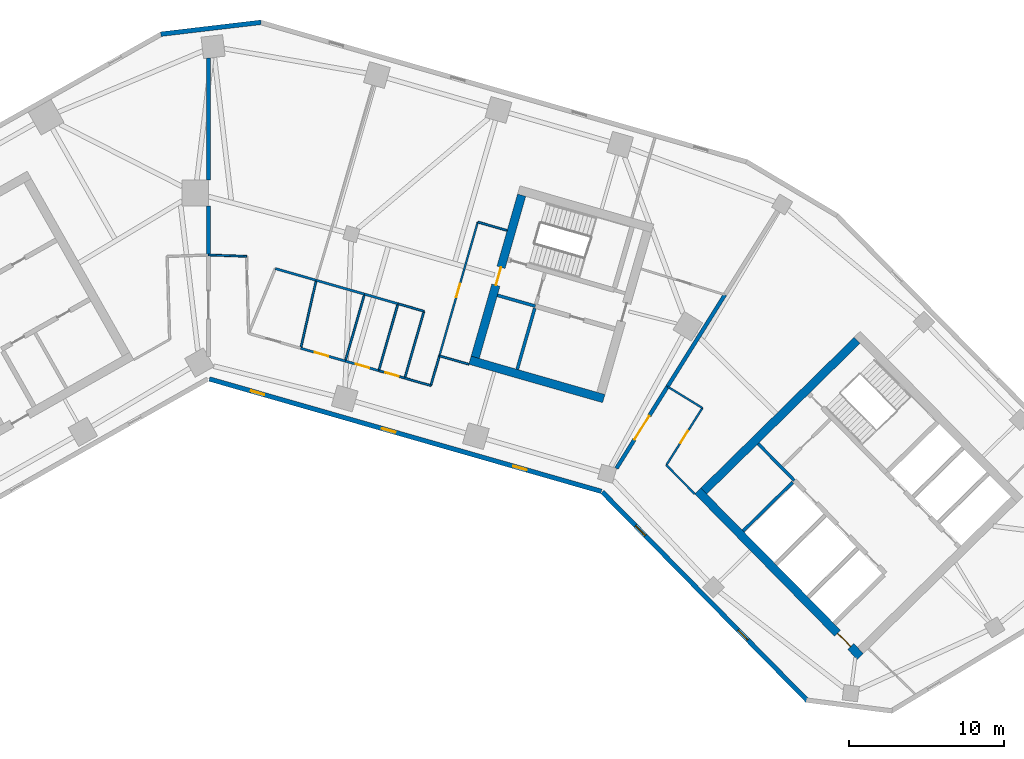
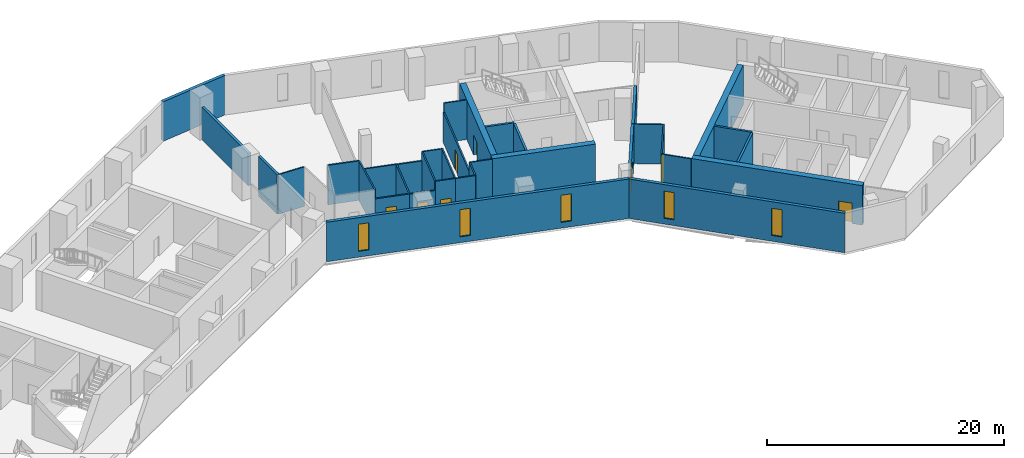
# One storey, part 5 of 10: 35 walls, 8 doors, 5 windows, 13 openings.
"""IFC4 building model written with IfcOpenShell, lengths in metres."""

from ifc_helpers import new_model, si_unit, direction, frame, frame_2d, origin, place, context, subcontext, project, spatial, rectangle, extrude, material, layer, layer_set, type_object, element, fill, save


model = new_model("IFC4")

# Units and contexts
model_context = context("Model", 3, precision=1e-05, world=origin(), true_north=direction((0.0, 1.0)))
body_context = subcontext(model_context, "Body", "Model", "MODEL_VIEW")
ifc_project = project(units=[si_unit("LENGTHUNIT", "METRE"), si_unit("AREAUNIT", "SQUARE_METRE"), si_unit("VOLUMEUNIT", "CUBIC_METRE"), si_unit("PLANEANGLEUNIT", "RADIAN"), si_unit("MASSUNIT", "GRAM", prefix="KILO")], contexts=[model_context])

# Site, building, storey
site_placement = place(None, origin())
site = spatial("IfcSite", under=ifc_project, at=site_placement, CompositionType="ELEMENT")
building_placement = place(site_placement, origin())
building = spatial("IfcBuilding", under=site, at=building_placement, Name="Binnacle Exchange Tower", CompositionType="ELEMENT")
storey_placement = place(building_placement, frame((0.0, 0.0, 110.300048828125)))
storey = spatial("IfcBuildingStorey", under=building, at=storey_placement, Name="L22", CompositionType="ELEMENT", Elevation=110.300048828125)

# Wall, opening, door
ifc_material_1 = material(Name="Concrete C70/85", Category="concrete")
ifc_layer_1 = layer(ifc_material_1, 0.550048828125)
ifc_layer_set_1 = layer_set([ifc_layer_1], Name="Core wall - outer 550")
wall_type_1 = type_object("IfcWallType", Name="Core wall - outer 550", PredefinedType="SOLIDWALL", material=ifc_layer_set_1)
wall_1_placement = place(storey_placement, frame((31.627685546875, 40.7451171875, 0.0), z_axis=(0.0, 0.0, 1.0), x_axis=(0.700911255944, -0.713248491965, 0.0)))
wall_1 = element("IfcWall", 1, at=wall_1_placement, inside=storey, type_object=wall_type_1, Name="Core wall CRWB1", PredefinedType="SOLIDWALL", context=body_context, shape_type="SweptSolid", body=[
    extrude(rectangle(XDim=15.0, YDim=0.550048828125, at=frame_2d((7.5, 0.0))), origin(), (0.0, 0.0, 1.0), 4.079833984375),
])
opening_1_placement = place(wall_1_placement, frame((12.89990234375, 0.0, 0.0)))
opening_1 = element("IfcOpeningElement", 2, at=opening_1_placement, cuts=wall_1, Name="Opening DB7", PredefinedType="OPENING", context=body_context, shape_type="SweptSolid", body=[
    extrude(rectangle(XDim=1.199951171875, YDim=2.10009765625, at=frame_2d((0.60009765625, 1.050048828125))), frame((0.0, 0.284912109375, 0.0), z_axis=(0.0, -1.0, 0.0), x_axis=(1.0, 0.0, 0.0)), (0.0, 0.0, 1.0), 0.570068359375),
])
ifc_material_2 = material(Name="Steel door leaf", Category="steel")
door_type_1 = type_object("IfcDoorType", Name="Fire door 1200", OperationType="NOTDEFINED", PredefinedType="DOOR", material=ifc_material_2)
door_1_placement = place(opening_1_placement, frame((1.199951171875, 0.0, 0.0), z_axis=(0.0, 0.0, 1.0), x_axis=(-1.0, 0.0, 0.0)))
door_1 = element("IfcDoor", 3, at=door_1_placement, inside=storey, type_object=door_type_1, Name="Lift lobby entrance door core B", OperationType="SINGLE_SWING_LEFT", OverallHeight=2.10009765625, OverallWidth=1.199951171875, PredefinedType="DOOR", context=body_context, shape_type="SweptSolid", body=[
    extrude(rectangle(XDim=1.199951171875, YDim=2.10009765625, at=frame_2d((0.60009765625, 1.050048828125))), frame((0.0, 0.02490234375, 0.0), z_axis=(0.0, -1.0, 0.0), x_axis=(1.0, 0.0, 0.0)), (0.0, 0.0, 1.0), 0.050048828125),
])
fill(opening_1, door_1)

# Walls
wall_2_placement = place(storey_placement, frame((32.0166015625, 40.74169921875, 0.0), z_axis=(0.0, 0.0, 1.0), x_axis=(0.713253550094, 0.700906108746, 0.0)))
element("IfcWall", 4, at=wall_2_placement, inside=storey, type_object=wall_type_1, Name="Core wall CRWB7", PredefinedType="SOLIDWALL", context=body_context, shape_type="SweptSolid", body=[
    extrude(rectangle(XDim=13.900146484375, YDim=0.550048828125, at=frame_2d((6.9501953125, 0.0))), origin(), (0.0, 0.0, 1.0), 4.079833984375),
])
wall_3_placement = place(storey_placement, frame((16.90380859375, 49.197265625, 0.0), z_axis=(0.0, 0.0, 1.0), x_axis=(0.96126248289, -0.275634611374, 0.0)))
element("IfcWall", 5, at=wall_3_placement, inside=storey, type_object=wall_type_1, Name="Core wall CRWD1", PredefinedType="SOLIDWALL", context=body_context, shape_type="SweptSolid", body=[
    extrude(rectangle(XDim=9.0, YDim=0.550048828125, at=frame_2d((4.5, 0.0))), origin(), (0.0, 0.0, 1.0), 4.079833984375),
])

# Wall, opening, door
wall_4_placement = place(storey_placement, frame((17.243896484375, 49.3857421875, 0.0), z_axis=(0.0, 0.0, 1.0), x_axis=(0.275632146085, 0.96126318979, 0.0)))
wall_4 = element("IfcWall", 6, at=wall_4_placement, inside=storey, type_object=wall_type_1, Name="Core wall CRWD7", PredefinedType="SOLIDWALL", context=body_context, shape_type="SweptSolid", body=[
    extrude(rectangle(XDim=10.89990234375, YDim=0.550048828125, at=frame_2d((5.449951171875, 0.0))), origin(), (0.0, 0.0, 1.0), 4.079833984375),
])
opening_2_placement = place(wall_4_placement, frame((4.85009765625, 0.0, 0.0)))
opening_2 = element("IfcOpeningElement", 7, at=opening_2_placement, cuts=wall_4, Name="Opening DD5", PredefinedType="OPENING", context=body_context, shape_type="SweptSolid", body=[
    extrude(rectangle(XDim=1.199951171875, YDim=2.10009765625, at=frame_2d((0.60009765625, 1.050048828125))), frame((0.0, 0.284912109375, 0.0), z_axis=(0.0, -1.0, 0.0), x_axis=(1.0, 0.0, 0.0)), (0.0, 0.0, 1.0), 0.570068359375),
])
door_2_placement = place(opening_2_placement, origin())
door_2 = element("IfcDoor", 8, at=door_2_placement, inside=storey, type_object=door_type_1, Name="Vestibule exit door VEST-W", OperationType="SINGLE_SWING_RIGHT", OverallHeight=2.10009765625, OverallWidth=1.199951171875, PredefinedType="DOOR", context=body_context, shape_type="SweptSolid", body=[
    extrude(rectangle(XDim=1.199951171875, YDim=2.10009765625, at=frame_2d((0.60009765625, 1.050048828125))), frame((0.0, 0.02490234375, 0.0), z_axis=(0.0, -1.0, 0.0), x_axis=(1.0, 0.0, 0.0)), (0.0, 0.0, 1.0), 0.050048828125),
])
fill(opening_2, door_2)

# Wall
ifc_material_3 = material(Name="Bronze aluminium cladding", Category="aluminium")
ifc_layer_2 = layer(ifc_material_3, 0.300048828125)
ifc_layer_set_2 = layer_set([ifc_layer_2], Name="External wall - spandrel 300")
wall_type_2 = type_object("IfcWallType", Name="External wall - spandrel 300", PredefinedType="STANDARD", material=ifc_layer_set_2)
wall_5_placement = place(storey_placement, frame((-3.076171875, 70.27294921875, 0.0), z_axis=(0.0, 0.0, 1.0), x_axis=(0.993067743007, 0.117543429416, 0.0)))
element("IfcWall", 9, at=wall_5_placement, inside=storey, type_object=wall_type_2, Name="External wall EW-F02 L22", PredefinedType="STANDARD", context=body_context, shape_type="SweptSolid", body=[
    extrude(rectangle(XDim=6.515625, YDim=0.300048828125, at=frame_2d((3.2578125, 0.0))), origin(), (0.0, 0.0, 1.0), 4.079833984375),
])

# Wall, openings, windows
wall_6_placement = place(storey_placement, frame((25.398193359375, 40.71728515625, 0.0), z_axis=(0.0, 0.0, 1.0), x_axis=(-0.961262423262, 0.275634819324, 0.0)))
wall_6 = element("IfcWall", 10, at=wall_6_placement, inside=storey, type_object=wall_type_2, Name="External wall EW-F08 L22", PredefinedType="STANDARD", context=body_context, shape_type="SweptSolid", body=[
    extrude(rectangle(XDim=26.358642578125, YDim=0.300048828125, at=frame_2d((13.17919921875, 0.0))), origin(), (0.0, 0.0, 1.0), 4.079833984375),
])
opening_3_placement = place(wall_6_placement, frame((22.6640625, 0.0, 0.60009765625)))
opening_3 = element("IfcOpeningElement", 11, at=opening_3_placement, cuts=wall_6, Name="Opening WS2", PredefinedType="OPENING", context=body_context, shape_type="SweptSolid", body=[
    extrude(rectangle(XDim=0.89990234375, YDim=2.800048828125, at=frame_2d((0.449951171875, 1.39990234375))), frame((0.0, 0.159912109375, 0.0), z_axis=(0.0, -1.0, 0.0), x_axis=(1.0, 0.0, 0.0)), (0.0, 0.0, 1.0), 0.320068359375),
])
opening_4_placement = place(wall_6_placement, frame((13.843505859375, 0.0, 0.60009765625)))
opening_4 = element("IfcOpeningElement", 12, at=opening_4_placement, cuts=wall_6, Name="Opening WS2", PredefinedType="OPENING", context=body_context, shape_type="SweptSolid", body=[
    extrude(rectangle(XDim=0.89990234375, YDim=2.800048828125, at=frame_2d((0.449951171875, 1.39990234375))), frame((0.0, 0.159912109375, 0.0), z_axis=(0.0, -1.0, 0.0), x_axis=(1.0, 0.0, 0.0)), (0.0, 0.0, 1.0), 0.320068359375),
])
opening_5_placement = place(wall_6_placement, frame((5.023193359375, 0.0, 0.60009765625)))
opening_5 = element("IfcOpeningElement", 13, at=opening_5_placement, cuts=wall_6, Name="Opening WS2", PredefinedType="OPENING", context=body_context, shape_type="SweptSolid", body=[
    extrude(rectangle(XDim=0.89990234375, YDim=2.800048828125, at=frame_2d((0.449951171875, 1.39990234375))), frame((0.0, 0.159912109375, 0.0), z_axis=(0.0, -1.0, 0.0), x_axis=(1.0, 0.0, 0.0)), (0.0, 0.0, 1.0), 0.320068359375),
])
ifc_material_4 = material(Name="Bronze anodised aluminium frame", Category="aluminium")
window_type = type_object("IfcWindowType", Name="WS2 WINDOW 900x2800", PartitioningType="SINGLE_PANEL", PredefinedType="WINDOW", material=ifc_material_4)
window_1_placement = place(opening_3_placement, origin())
window_1 = element("IfcWindow", 14, at=window_1_placement, inside=storey, type_object=window_type, Name="Window WS2 L22", OverallHeight=2.800048828125, OverallWidth=0.89990234375, PartitioningType="SINGLE_PANEL", PredefinedType="WINDOW", context=body_context, shape_type="SweptSolid", body=[
    extrude(rectangle(XDim=0.89990234375, YDim=2.800048828125, at=frame_2d((0.449951171875, 1.39990234375))), frame((0.0, 0.030029296875, 0.0), z_axis=(0.0, -1.0, 0.0), x_axis=(1.0, 0.0, 0.0)), (0.0, 0.0, 1.0), 0.06005859375),
])
fill(opening_3, window_1)
window_2_placement = place(opening_4_placement, origin())
window_2 = element("IfcWindow", 15, at=window_2_placement, inside=storey, type_object=window_type, Name="Window WS2 L22", OverallHeight=2.800048828125, OverallWidth=0.89990234375, PartitioningType="SINGLE_PANEL", PredefinedType="WINDOW", context=body_context, shape_type="SweptSolid", body=[
    extrude(rectangle(XDim=0.89990234375, YDim=2.800048828125, at=frame_2d((0.449951171875, 1.39990234375))), frame((0.0, 0.030029296875, 0.0), z_axis=(0.0, -1.0, 0.0), x_axis=(1.0, 0.0, 0.0)), (0.0, 0.0, 1.0), 0.06005859375),
])
fill(opening_4, window_2)
window_3_placement = place(opening_5_placement, origin())
window_3 = element("IfcWindow", 16, at=window_3_placement, inside=storey, type_object=window_type, Name="Window WS2 L22", OverallHeight=2.800048828125, OverallWidth=0.89990234375, PartitioningType="SINGLE_PANEL", PredefinedType="WINDOW", context=body_context, shape_type="SweptSolid", body=[
    extrude(rectangle(XDim=0.89990234375, YDim=2.800048828125, at=frame_2d((0.449951171875, 1.39990234375))), frame((0.0, 0.030029296875, 0.0), z_axis=(0.0, -1.0, 0.0), x_axis=(1.0, 0.0, 0.0)), (0.0, 0.0, 1.0), 0.06005859375),
])
fill(opening_5, window_3)

wall_7_placement = place(storey_placement, frame((38.727294921875, 27.18115234375, 0.0), z_axis=(0.0, 0.0, 1.0), x_axis=(-0.700906405975, 0.713253258011, 0.0)))
wall_7 = element("IfcWall", 17, at=wall_7_placement, inside=storey, type_object=wall_type_2, Name="External wall EW-F09 L22", PredefinedType="STANDARD", context=body_context, shape_type="SweptSolid", body=[
    extrude(rectangle(XDim=18.92333984375, YDim=0.300048828125, at=frame_2d((9.461669921875, 0.0))), origin(), (0.0, 0.0, 1.0), 4.079833984375),
])
opening_6_placement = place(wall_7_placement, frame((14.967041015625, 0.0, 0.60009765625)))
opening_6 = element("IfcOpeningElement", 18, at=opening_6_placement, cuts=wall_7, Name="Opening WS2", PredefinedType="OPENING", context=body_context, shape_type="SweptSolid", body=[
    extrude(rectangle(XDim=0.89990234375, YDim=2.800048828125, at=frame_2d((0.449951171875, 1.39990234375))), frame((0.0, 0.159912109375, 0.0), z_axis=(0.0, -1.0, 0.0), x_axis=(1.0, 0.0, 0.0)), (0.0, 0.0, 1.0), 0.320068359375),
])
opening_7_placement = place(wall_7_placement, frame((5.51171875, 0.0, 0.60009765625)))
opening_7 = element("IfcOpeningElement", 19, at=opening_7_placement, cuts=wall_7, Name="Opening WS2", PredefinedType="OPENING", context=body_context, shape_type="SweptSolid", body=[
    extrude(rectangle(XDim=0.89990234375, YDim=2.800048828125, at=frame_2d((0.449951171875, 1.39990234375))), frame((0.0, 0.159912109375, 0.0), z_axis=(0.0, -1.0, 0.0), x_axis=(1.0, 0.0, 0.0)), (0.0, 0.0, 1.0), 0.320068359375),
])
window_4_placement = place(opening_6_placement, origin())
window_4 = element("IfcWindow", 20, at=window_4_placement, inside=storey, type_object=window_type, Name="Window WS2 L22", OverallHeight=2.800048828125, OverallWidth=0.89990234375, PartitioningType="SINGLE_PANEL", PredefinedType="WINDOW", context=body_context, shape_type="SweptSolid", body=[
    extrude(rectangle(XDim=0.89990234375, YDim=2.800048828125, at=frame_2d((0.449951171875, 1.39990234375))), frame((0.0, 0.030029296875, 0.0), z_axis=(0.0, -1.0, 0.0), x_axis=(1.0, 0.0, 0.0)), (0.0, 0.0, 1.0), 0.06005859375),
])
fill(opening_6, window_4)
window_5_placement = place(opening_7_placement, origin())
window_5 = element("IfcWindow", 21, at=window_5_placement, inside=storey, type_object=window_type, Name="Window WS2 L22", OverallHeight=2.800048828125, OverallWidth=0.89990234375, PartitioningType="SINGLE_PANEL", PredefinedType="WINDOW", context=body_context, shape_type="SweptSolid", body=[
    extrude(rectangle(XDim=0.89990234375, YDim=2.800048828125, at=frame_2d((0.449951171875, 1.39990234375))), frame((0.0, 0.030029296875, 0.0), z_axis=(0.0, -1.0, 0.0), x_axis=(1.0, 0.0, 0.0)), (0.0, 0.0, 1.0), 0.06005859375),
])
fill(opening_7, window_5)

# Walls
ifc_material_5 = material(Name="Concrete fire wall C30/37", Category="concrete")
ifc_layer_3 = layer(ifc_material_5, 0.25)
ifc_layer_set_3 = layer_set([ifc_layer_3], Name="Fire wall - compartment 250")
wall_type_3 = type_object("IfcWallType", Name="Fire wall - compartment 250", PredefinedType="PARTITIONING", material=ifc_layer_set_3)
wall_8_placement = place(storey_placement, frame((0.0, 56.0, 0.0), z_axis=(0.0, 0.0, 1.0), x_axis=(0.0, 1.0, 0.0)))
element("IfcWall", 22, at=wall_8_placement, inside=storey, type_object=wall_type_3, Name="Fire Wall W09", PredefinedType="PARTITIONING", context=body_context, shape_type="SweptSolid", body=[
    extrude(rectangle(XDim=3.14990234375, YDim=0.25, at=frame_2d((1.574951171875, 0.0))), origin(), (0.0, 0.0, 1.0), 4.079833984375),
])
wall_9_placement = place(storey_placement, frame((0.0, 60.85009765625, 0.0), z_axis=(0.0, 0.0, 1.0), x_axis=(0.0, 1.0, 0.0)))
element("IfcWall", 23, at=wall_9_placement, inside=storey, type_object=wall_type_3, Name="Fire Wall W11", PredefinedType="PARTITIONING", context=body_context, shape_type="SweptSolid", body=[
    extrude(rectangle(XDim=7.8740234375, YDim=0.25, at=frame_2d((3.93701171875, 0.0))), origin(), (0.0, 0.0, 1.0), 3.35205078125),
])

# Wall, opening, door
wall_10_placement = place(storey_placement, frame((26.373046875, 42.2060546875, 0.0), z_axis=(0.0, 0.0, 1.0), x_axis=(0.52987567935, 0.848075329457, 0.0)))
wall_10 = element("IfcWall", 24, at=wall_10_placement, inside=storey, type_object=wall_type_3, Name="Fire Wall W32", PredefinedType="PARTITIONING", context=body_context, shape_type="SweptSolid", body=[
    extrude(rectangle(XDim=6.231689453125, YDim=0.25, at=frame_2d((3.11572265625, 0.0))), origin(), (0.0, 0.0, 1.0), 4.079833984375),
])
opening_8_placement = place(wall_10_placement, frame((2.199951171875, 0.0, 0.0)))
opening_8 = element("IfcOpeningElement", 25, at=opening_8_placement, cuts=wall_10, Name="Opening DL22-13", PredefinedType="OPENING", context=body_context, shape_type="SweptSolid", body=[
    extrude(rectangle(XDim=1.800048828125, YDim=2.10009765625, at=frame_2d((0.89990234375, 1.050048828125))), frame((0.0, 0.135009765625, 0.0), z_axis=(0.0, -1.0, 0.0), x_axis=(1.0, 0.0, 0.0)), (0.0, 0.0, 1.0), 0.27001953125),
])
door_type_2 = type_object("IfcDoorType", Name="Fire door 1800", OperationType="NOTDEFINED", PredefinedType="DOOR", material=ifc_material_2)
door_3_placement = place(opening_8_placement, origin())
door_3 = element("IfcDoor", 26, at=door_3_placement, inside=storey, type_object=door_type_2, Name="Door DL22-13", OperationType="DOUBLE_DOOR_SINGLE_SWING", OverallHeight=2.10009765625, OverallWidth=1.800048828125, PredefinedType="DOOR", context=body_context, shape_type="SweptSolid", body=[
    extrude(rectangle(XDim=1.800048828125, YDim=2.10009765625, at=frame_2d((0.89990234375, 1.050048828125))), frame((0.0, 0.02490234375, 0.0), z_axis=(0.0, -1.0, 0.0), x_axis=(1.0, 0.0, 0.0)), (0.0, 0.0, 1.0), 0.050048828125),
])
fill(opening_8, door_3)

# Walls
wall_11_placement = place(storey_placement, frame((29.675048828125, 47.490966796875, 0.0), z_axis=(0.0, 0.0, 1.0), x_axis=(0.529992669945, 0.848002222759, 0.0)))
element("IfcWall", 27, at=wall_11_placement, inside=storey, type_object=wall_type_3, Name="Fire Wall W38", PredefinedType="PARTITIONING", context=body_context, shape_type="SweptSolid", body=[
    extrude(rectangle(XDim=7.0, YDim=0.25, at=frame_2d((3.5, 0.0))), origin(), (0.0, 0.0, 1.0), 3.141845703125),
])
ifc_material_6 = material(Name="Gypsum partition fire rated")
ifc_layer_4 = layer(ifc_material_6, 0.14990234375)
ifc_layer_set_4 = layer_set([ifc_layer_4], Name="Fire-rated partition 150")
wall_type_4 = type_object("IfcWallType", Name="Fire-rated partition 150", PredefinedType="PARTITIONING", material=ifc_layer_set_4)
wall_12_placement = place(storey_placement, frame((4.322021484375, 55.1201171875, 0.0), z_axis=(0.0, 0.0, 1.0), x_axis=(0.961272337704, -0.275600240865, 0.0)))
element("IfcWall", 28, at=wall_12_placement, inside=storey, type_object=wall_type_4, Name="Partition W15", PredefinedType="PARTITIONING", context=body_context, shape_type="SweptSolid", body=[
    extrude(rectangle(XDim=2.75048828125, YDim=0.14990234375, at=frame_2d((1.375244140625, 0.0))), origin(), (0.0, 0.0, 1.0), 4.079833984375),
])

# Wall, opening, door
wall_13_placement = place(storey_placement, frame((5.966064453125, 49.967041015625, 0.0), z_axis=(0.0, 0.0, 1.0), x_axis=(0.961222353496, -0.275774522283, 0.0)))
wall_13 = element("IfcWall", 29, at=wall_13_placement, inside=storey, type_object=wall_type_4, Name="Partition W17", PredefinedType="PARTITIONING", context=body_context, shape_type="SweptSolid", body=[
    extrude(rectangle(XDim=2.999267578125, YDim=0.14990234375, at=frame_2d((1.49951171875, 0.0))), origin(), (0.0, 0.0, 1.0), 3.159912109375),
])
opening_9_placement = place(wall_13_placement, frame((0.949951171875, 0.0, 0.0)))
opening_9 = element("IfcOpeningElement", 30, at=opening_9_placement, cuts=wall_13, Name="Opening DL22-04", PredefinedType="OPENING", context=body_context, shape_type="SweptSolid", body=[
    extrude(rectangle(XDim=0.89990234375, YDim=2.10009765625, at=frame_2d((0.449951171875, 1.050048828125))), frame((0.0, 0.0849609375, 0.0), z_axis=(0.0, -1.0, 0.0), x_axis=(1.0, 0.0, 0.0)), (0.0, 0.0, 1.0), 0.169921875),
])
door_type_3 = type_object("IfcDoorType", Name="Fire door 900", OperationType="NOTDEFINED", PredefinedType="DOOR", material=ifc_material_2)
door_4_placement = place(opening_9_placement, origin())
door_4 = element("IfcDoor", 31, at=door_4_placement, inside=storey, type_object=door_type_3, Name="Door DL22-04", OperationType="SINGLE_SWING_LEFT", OverallHeight=2.10009765625, OverallWidth=0.89990234375, PredefinedType="DOOR", context=body_context, shape_type="SweptSolid", body=[
    extrude(rectangle(XDim=0.89990234375, YDim=2.10009765625, at=frame_2d((0.449951171875, 1.050048828125))), frame((0.0, 0.02490234375, 0.0), z_axis=(0.0, -1.0, 0.0), x_axis=(1.0, 0.0, 0.0)), (0.0, 0.0, 1.0), 0.050048828125),
])
fill(opening_9, door_4)

# Wall
wall_14_placement = place(storey_placement, frame((6.966064453125, 54.362060546875, 0.0), z_axis=(0.0, 0.0, 1.0), x_axis=(0.961245650832, -0.275693305607, 0.0)))
element("IfcWall", 32, at=wall_14_placement, inside=storey, type_object=wall_type_4, Name="Partition W18", PredefinedType="PARTITIONING", context=body_context, shape_type="SweptSolid", body=[
    extrude(rectangle(XDim=3.25, YDim=0.14990234375, at=frame_2d((1.625, 0.0))), origin(), (0.0, 0.0, 1.0), 3.159912109375),
])

# Wall, opening, door
wall_15_placement = place(storey_placement, frame((8.84912109375, 49.139892578125, 0.0), z_axis=(0.0, 0.0, 1.0), x_axis=(0.961298413165, -0.275509275429, 0.0)))
wall_15 = element("IfcWall", 33, at=wall_15_placement, inside=storey, type_object=wall_type_4, Name="Partition W21", PredefinedType="PARTITIONING", context=body_context, shape_type="SweptSolid", body=[
    extrude(rectangle(XDim=2.25, YDim=0.14990234375, at=frame_2d((1.125, 0.0))), origin(), (0.0, 0.0, 1.0), 3.141845703125),
])
opening_10_placement = place(wall_15_placement, frame((0.699951171875, 0.0, 0.0)))
opening_10 = element("IfcOpeningElement", 34, at=opening_10_placement, cuts=wall_15, Name="Opening DL22-05", PredefinedType="OPENING", context=body_context, shape_type="SweptSolid", body=[
    extrude(rectangle(XDim=0.89990234375, YDim=2.10009765625, at=frame_2d((0.449951171875, 1.050048828125))), frame((0.0, 0.0849609375, 0.0), z_axis=(0.0, -1.0, 0.0), x_axis=(1.0, 0.0, 0.0)), (0.0, 0.0, 1.0), 0.169921875),
])
door_5_placement = place(opening_10_placement, origin())
door_5 = element("IfcDoor", 35, at=door_5_placement, inside=storey, type_object=door_type_3, Name="Door DL22-05", OperationType="SINGLE_SWING_RIGHT", OverallHeight=2.10009765625, OverallWidth=0.89990234375, PredefinedType="DOOR", context=body_context, shape_type="SweptSolid", body=[
    extrude(rectangle(XDim=0.89990234375, YDim=2.10009765625, at=frame_2d((0.449951171875, 1.050048828125))), frame((0.0, 0.02490234375, 0.0), z_axis=(0.0, -1.0, 0.0), x_axis=(1.0, 0.0, 0.0)), (0.0, 0.0, 1.0), 0.050048828125),
])
fill(opening_10, door_5)

# Walls
wall_16_placement = place(storey_placement, frame((10.090087890625, 53.466064453125, 0.0), z_axis=(0.0, 0.0, 1.0), x_axis=(0.961269670038, -0.275609545309, 0.0)))
element("IfcWall", 36, at=wall_16_placement, inside=storey, type_object=wall_type_4, Name="Partition W22", PredefinedType="PARTITIONING", context=body_context, shape_type="SweptSolid", body=[
    extrude(rectangle(XDim=2.25, YDim=0.14990234375, at=frame_2d((1.125, 0.0))), origin(), (0.0, 0.0, 1.0), 3.141845703125),
])
ifc_material_7 = material(Name="Gypsum partition")
ifc_layer_5 = layer(ifc_material_7, 0.125)
ifc_layer_set_5 = layer_set([ifc_layer_5], Name="Partition 125")
wall_type_5 = type_object("IfcWallType", Name="Partition 125", PredefinedType="PARTITIONING", material=ifc_layer_set_5)
wall_17_placement = place(storey_placement, frame((0.0, 56.0, 0.0), z_axis=(0.0, 0.0, 1.0), x_axis=(0.999349313684, -0.036068673934, 0.0)))
element("IfcWall", 37, at=wall_17_placement, inside=storey, type_object=wall_type_5, Name="Partition W10", PredefinedType="PARTITIONING", context=body_context, shape_type="SweptSolid", body=[
    extrude(rectangle(XDim=2.470703125, YDim=0.125, at=frame_2d((1.2353515625, 0.0))), origin(), (0.0, 0.0, 1.0), 4.079833984375),
])
wall_18_placement = place(storey_placement, frame((5.966064453125, 49.967041015625, 0.0), z_axis=(0.0, 0.0, 1.0), x_axis=(0.221859891223, 0.975078555126, 0.0)))
element("IfcWall", 38, at=wall_18_placement, inside=storey, type_object=wall_type_5, Name="Partition W16", PredefinedType="PARTITIONING", context=body_context, shape_type="SweptSolid", body=[
    extrude(rectangle(XDim=4.50732421875, YDim=0.125, at=frame_2d((2.253662109375, 0.0))), origin(), (0.0, 0.0, 1.0), 4.079833984375),
])
wall_19_placement = place(storey_placement, frame((8.84912109375, 49.139892578125, 0.0), z_axis=(0.0, 0.0, 1.0), x_axis=(0.275731175537, 0.961234788612, 0.0)))
element("IfcWall", 39, at=wall_19_placement, inside=storey, type_object=wall_type_5, Name="Partition W20", PredefinedType="PARTITIONING", context=body_context, shape_type="SweptSolid", body=[
    extrude(rectangle(XDim=4.500732421875, YDim=0.125, at=frame_2d((2.25048828125, 0.0))), origin(), (0.0, 0.0, 1.0), 3.159912109375),
])
wall_20_placement = place(storey_placement, frame((11.011962890625, 48.52001953125, 0.0), z_axis=(0.0, 0.0, 1.0), x_axis=(0.275745553681, 0.96123066411, 0.0)))
element("IfcWall", 40, at=wall_20_placement, inside=storey, type_object=wall_type_5, Name="Partition W23", PredefinedType="PARTITIONING", context=body_context, shape_type="SweptSolid", body=[
    extrude(rectangle(XDim=4.50048828125, YDim=0.125, at=frame_2d((2.250244140625, 0.0))), origin(), (0.0, 0.0, 1.0), 4.079833984375),
])

# Wall, opening, door
wall_21_placement = place(storey_placement, frame((11.011962890625, 48.52001953125, 0.0), z_axis=(0.0, 0.0, 1.0), x_axis=(0.961323619822, -0.275421309946, 0.0)))
wall_21 = element("IfcWall", 41, at=wall_21_placement, inside=storey, type_object=wall_type_5, Name="Partition W24", PredefinedType="PARTITIONING", context=body_context, shape_type="SweptSolid", body=[
    extrude(rectangle(XDim=1.749755859375, YDim=0.125, at=frame_2d((0.875, 0.0))), origin(), (0.0, 0.0, 1.0), 4.079833984375),
])
opening_11_placement = place(wall_21_placement, frame((0.449951171875, 0.0, 0.0)))
opening_11 = element("IfcOpeningElement", 42, at=opening_11_placement, cuts=wall_21, Name="Opening DL22-06", PredefinedType="OPENING", context=body_context, shape_type="SweptSolid", body=[
    extrude(rectangle(XDim=0.89990234375, YDim=2.10009765625, at=frame_2d((0.449951171875, 1.050048828125))), frame((0.0, 0.072509765625, 0.0), z_axis=(0.0, -1.0, 0.0), x_axis=(1.0, 0.0, 0.0)), (0.0, 0.0, 1.0), 0.14501953125),
])
ifc_material_8 = material(Name="Timber door leaf", Category="wood")
door_type_4 = type_object("IfcDoorType", Name="Door 900", OperationType="NOTDEFINED", PredefinedType="DOOR", material=ifc_material_8)
door_6_placement = place(opening_11_placement, origin())
door_6 = element("IfcDoor", 43, at=door_6_placement, inside=storey, type_object=door_type_4, Name="Door DL22-06", OperationType="SINGLE_SWING_RIGHT", OverallHeight=2.10009765625, OverallWidth=0.89990234375, PredefinedType="DOOR", context=body_context, shape_type="SweptSolid", body=[
    extrude(rectangle(XDim=0.89990234375, YDim=2.10009765625, at=frame_2d((0.449951171875, 1.050048828125))), frame((0.0, 0.02490234375, 0.0), z_axis=(0.0, -1.0, 0.0), x_axis=(1.0, 0.0, 0.0)), (0.0, 0.0, 1.0), 0.050048828125),
])
fill(opening_11, door_6)

# Walls
wall_22_placement = place(storey_placement, frame((12.2529296875, 52.845947265625, 0.0), z_axis=(0.0, 0.0, 1.0), x_axis=(0.961175737212, -0.275936953296, 0.0)))
element("IfcWall", 44, at=wall_22_placement, inside=storey, type_object=wall_type_5, Name="Partition W25", PredefinedType="PARTITIONING", context=body_context, shape_type="SweptSolid", body=[
    extrude(rectangle(XDim=1.75, YDim=0.125, at=frame_2d((0.875, 0.0))), origin(), (0.0, 0.0, 1.0), 4.079833984375),
])
wall_23_placement = place(storey_placement, frame((12.694091796875, 48.0380859375, 0.0), z_axis=(0.0, 0.0, 1.0), x_axis=(0.275803080638, 0.96121415965, 0.0)))
element("IfcWall", 45, at=wall_23_placement, inside=storey, type_object=wall_type_5, Name="Partition W26", PredefinedType="PARTITIONING", context=body_context, shape_type="SweptSolid", body=[
    extrude(rectangle(XDim=4.49951171875, YDim=0.125, at=frame_2d((2.249755859375, 0.0))), origin(), (0.0, 0.0, 1.0), 4.079833984375),
])
wall_24_placement = place(storey_placement, frame((12.694091796875, 48.0380859375, 0.0), z_axis=(0.0, 0.0, 1.0), x_axis=(0.961170605556, -0.275954827854, 0.0)))
element("IfcWall", 46, at=wall_24_placement, inside=storey, type_object=wall_type_5, Name="Partition W27", PredefinedType="PARTITIONING", context=body_context, shape_type="SweptSolid", body=[
    extrude(rectangle(XDim=1.750732421875, YDim=0.125, at=frame_2d((0.87548828125, 0.0))), origin(), (0.0, 0.0, 1.0), 4.079833984375),
])
wall_25_placement = place(storey_placement, frame((14.376953125, 47.554931640625, 0.0), z_axis=(0.0, 0.0, 1.0), x_axis=(0.275446387355, 0.961316434736, 0.0)))
element("IfcWall", 47, at=wall_25_placement, inside=storey, type_object=wall_type_5, Name="Partition W28", PredefinedType="PARTITIONING", context=body_context, shape_type="SweptSolid", body=[
    extrude(rectangle(XDim=2.00048828125, YDim=0.125, at=frame_2d((1.000244140625, 0.0))), origin(), (0.0, 0.0, 1.0), 4.079833984375),
])
wall_26_placement = place(storey_placement, frame((14.927978515625, 49.47802734375, 0.0), z_axis=(0.0, 0.0, 1.0), x_axis=(0.961243778232, -0.27569983462, 0.0)))
element("IfcWall", 48, at=wall_26_placement, inside=storey, type_object=wall_type_5, Name="Partition W29", PredefinedType="PARTITIONING", context=body_context, shape_type="SweptSolid", body=[
    extrude(rectangle(XDim=1.9765625, YDim=0.125, at=frame_2d((0.98828125, 0.0))), origin(), (0.0, 0.0, 1.0), 4.079833984375),
])

# Wall, opening, door
wall_27_placement = place(storey_placement, frame((14.927978515625, 49.47802734375, 0.0), z_axis=(0.0, 0.0, 1.0), x_axis=(0.275674053528, 0.961251172281, 0.0)))
wall_27 = element("IfcWall", 49, at=wall_27_placement, inside=storey, type_object=wall_type_5, Name="Partition W30", PredefinedType="PARTITIONING", context=body_context, shape_type="SweptSolid", body=[
    extrude(rectangle(XDim=8.99951171875, YDim=0.125, at=frame_2d((4.499755859375, 0.0))), origin(), (0.0, 0.0, 1.0), 3.141845703125),
])
opening_12_placement = place(wall_27_placement, frame((3.949951171875, 0.0, 0.0)))
opening_12 = element("IfcOpeningElement", 50, at=opening_12_placement, cuts=wall_27, Name="Opening DL22-08", PredefinedType="OPENING", context=body_context, shape_type="SweptSolid", body=[
    extrude(rectangle(XDim=0.89990234375, YDim=2.10009765625, at=frame_2d((0.449951171875, 1.050048828125))), frame((0.0, 0.072509765625, 0.0), z_axis=(0.0, -1.0, 0.0), x_axis=(1.0, 0.0, 0.0)), (0.0, 0.0, 1.0), 0.14501953125),
])
door_7_placement = place(opening_12_placement, origin())
door_7 = element("IfcDoor", 51, at=door_7_placement, inside=storey, type_object=door_type_4, Name="Door DL22-08", OperationType="SINGLE_SWING_LEFT", OverallHeight=2.10009765625, OverallWidth=0.89990234375, PredefinedType="DOOR", context=body_context, shape_type="SweptSolid", body=[
    extrude(rectangle(XDim=0.89990234375, YDim=2.10009765625, at=frame_2d((0.449951171875, 1.050048828125))), frame((0.0, 0.02490234375, 0.0), z_axis=(0.0, -1.0, 0.0), x_axis=(1.0, 0.0, 0.0)), (0.0, 0.0, 1.0), 0.050048828125),
])
fill(opening_12, door_7)

# Walls
wall_28_placement = place(storey_placement, frame((17.408935546875, 58.12890625, 0.0), z_axis=(0.0, 0.0, 1.0), x_axis=(0.961253165474, -0.275667103345, 0.0)))
element("IfcWall", 52, at=wall_28_placement, inside=storey, type_object=wall_type_5, Name="Partition W31", PredefinedType="PARTITIONING", context=body_context, shape_type="SweptSolid", body=[
    extrude(rectangle(XDim=1.976806640625, YDim=0.125, at=frame_2d((0.98828125, 0.0))), origin(), (0.0, 0.0, 1.0), 4.079833984375),
])
wall_29_placement = place(storey_placement, frame((29.60009765625, 42.416015625, 0.0), z_axis=(0.0, 0.0, 1.0), x_axis=(0.700914320664, -0.713245480244, 0.0)))
element("IfcWall", 53, at=wall_29_placement, inside=storey, type_object=wall_type_5, Name="Partition W35", PredefinedType="PARTITIONING", context=body_context, shape_type="SweptSolid", body=[
    extrude(rectangle(XDim=2.613525390625, YDim=0.125, at=frame_2d((1.306640625, 0.0))), origin(), (0.0, 0.0, 1.0), 4.079833984375),
])

# Wall, opening, door
wall_30_placement = place(storey_placement, frame((29.60009765625, 42.416015625, 0.0), z_axis=(0.0, 0.0, 1.0), x_axis=(0.533582711531, 0.84574788794, 0.0)))
wall_30 = element("IfcWall", 54, at=wall_30_placement, inside=storey, type_object=wall_type_5, Name="Partition W36", PredefinedType="PARTITIONING", context=body_context, shape_type="SweptSolid", body=[
    extrude(rectangle(XDim=4.366455078125, YDim=0.125, at=frame_2d((2.18310546875, 0.0))), origin(), (0.0, 0.0, 1.0), 4.079833984375),
])
opening_13_placement = place(wall_30_placement, frame((1.699951171875, 0.0, 0.0)))
opening_13 = element("IfcOpeningElement", 55, at=opening_13_placement, cuts=wall_30, Name="Opening DL22-10", PredefinedType="OPENING", context=body_context, shape_type="SweptSolid", body=[
    extrude(rectangle(XDim=0.89990234375, YDim=2.10009765625, at=frame_2d((0.449951171875, 1.050048828125))), frame((0.0, 0.072509765625, 0.0), z_axis=(0.0, -1.0, 0.0), x_axis=(1.0, 0.0, 0.0)), (0.0, 0.0, 1.0), 0.14501953125),
])
door_8_placement = place(opening_13_placement, frame((0.89990234375, 0.0, 0.0), z_axis=(0.0, 0.0, 1.0), x_axis=(-1.0, 0.0, 0.0)))
door_8 = element("IfcDoor", 56, at=door_8_placement, inside=storey, type_object=door_type_4, Name="Door DL22-10", OperationType="SINGLE_SWING_RIGHT", OverallHeight=2.10009765625, OverallWidth=0.89990234375, PredefinedType="DOOR", context=body_context, shape_type="SweptSolid", body=[
    extrude(rectangle(XDim=0.89990234375, YDim=2.10009765625, at=frame_2d((0.449951171875, 1.050048828125))), frame((0.0, 0.02490234375, 0.0), z_axis=(0.0, -1.0, 0.0), x_axis=(1.0, 0.0, 0.0)), (0.0, 0.0, 1.0), 0.050048828125),
])
fill(opening_13, door_8)

# Walls
wall_31_placement = place(storey_placement, frame((29.675048828125, 47.490966796875, 0.0), z_axis=(0.0, 0.0, 1.0), x_axis=(0.852591965232, -0.522577210392, 0.0)))
element("IfcWall", 57, at=wall_31_placement, inside=storey, type_object=wall_type_5, Name="Partition W37", PredefinedType="PARTITIONING", context=body_context, shape_type="SweptSolid", body=[
    extrude(rectangle(XDim=2.644775390625, YDim=0.125, at=frame_2d((1.322265625, 0.0))), origin(), (0.0, 0.0, 1.0), 4.079833984375),
])
ifc_material_9 = material(Name="Masonry block wall", Category="masonry")
ifc_layer_6 = layer(ifc_material_9, 0.199951171875)
ifc_layer_set_6 = layer_set([ifc_layer_6], Name="Riser wall 200")
wall_type_6 = type_object("IfcWallType", Name="Riser wall 200", PredefinedType="SOLIDWALL", material=ifc_layer_set_6)
wall_32_placement = place(storey_placement, frame((35.526123046875, 43.804931640625, 0.0), z_axis=(0.0, 0.0, 1.0), x_axis=(0.700884863746, -0.713274426691, 0.0)))
element("IfcWall", 58, at=wall_32_placement, inside=storey, type_object=wall_type_6, Name="Core wall CRWB2", PredefinedType="SOLIDWALL", context=body_context, shape_type="SweptSolid", body=[
    extrude(rectangle(XDim=3.349853515625, YDim=0.199951171875, at=frame_2d((1.6748046875, 0.0))), origin(), (0.0, 0.0, 1.0), 4.079833984375),
])
wall_33_placement = place(storey_placement, frame((34.5576171875, 38.15625, 0.0), z_axis=(0.0, 0.0, 1.0), x_axis=(0.713237924006, 0.700922009755, 0.0)))
element("IfcWall", 59, at=wall_33_placement, inside=storey, type_object=wall_type_6, Name="Core wall CRWB9", PredefinedType="SOLIDWALL", context=body_context, shape_type="SweptSolid", body=[
    extrude(rectangle(XDim=4.499755859375, YDim=0.199951171875, at=frame_2d((2.25, 0.0))), origin(), (0.0, 0.0, 1.0), 4.079833984375),
])
wall_34_placement = place(storey_placement, frame((18.6796875, 53.3955078125, 0.0), z_axis=(0.0, 0.0, 1.0), x_axis=(0.961234387647, -0.275732573349, 0.0)))
element("IfcWall", 60, at=wall_34_placement, inside=storey, type_object=wall_type_6, Name="Core wall CRWD2", PredefinedType="SOLIDWALL", context=body_context, shape_type="SweptSolid", body=[
    extrude(rectangle(XDim=2.550048828125, YDim=0.199951171875, at=frame_2d((1.27490234375, 0.0))), origin(), (0.0, 0.0, 1.0), 4.079833984375),
])
wall_35_placement = place(storey_placement, frame((19.95947265625, 48.607177734375, 0.0), z_axis=(0.0, 0.0, 1.0), x_axis=(0.275641165445, 0.961260603537, 0.0)))
element("IfcWall", 61, at=wall_35_placement, inside=storey, type_object=wall_type_6, Name="Core wall CRWD8", PredefinedType="SOLIDWALL", context=body_context, shape_type="SweptSolid", body=[
    extrude(rectangle(XDim=4.10009765625, YDim=0.199951171875, at=frame_2d((2.050048828125, 0.0))), origin(), (0.0, 0.0, 1.0), 4.079833984375),
])

save(model, "model.ifc")
